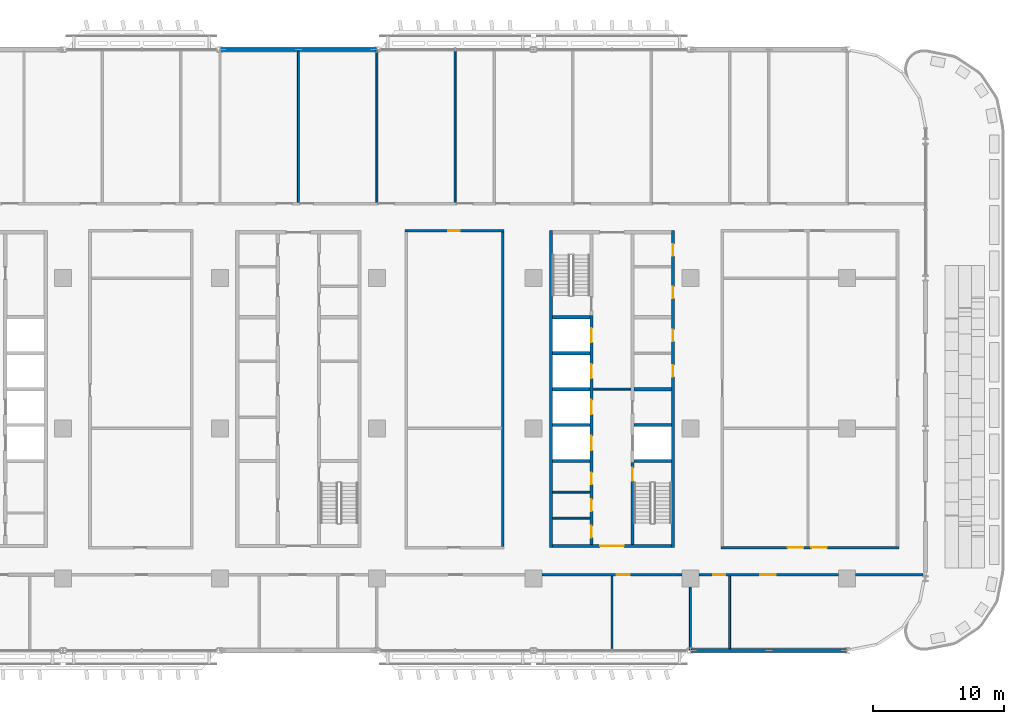
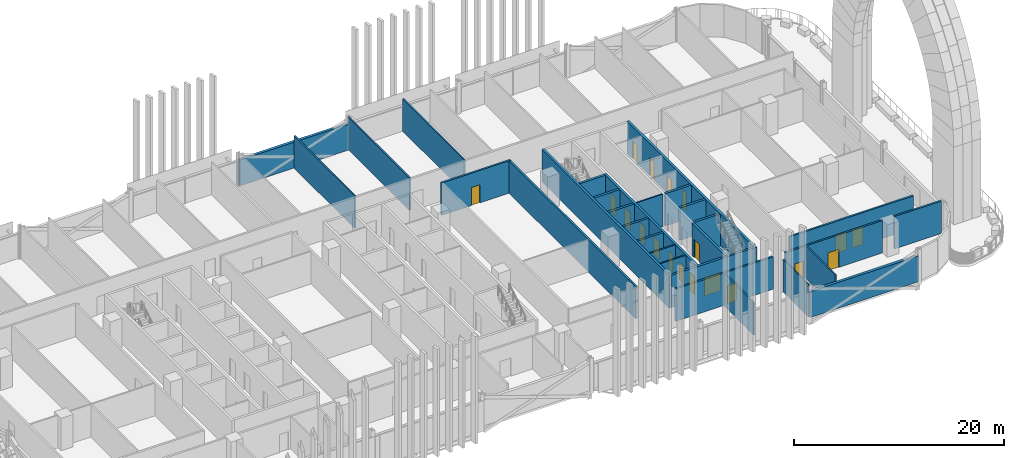
# One storey, part 15 of 33: 30 walls, 19 doors, 19 openings.
"""IFC4 building model written with IfcOpenShell, lengths in metres."""

from ifc_helpers import new_model, si_unit, direction, frame, frame_2d, origin, place, context, subcontext, project, spatial, rectangle, extrude, material, layer, layer_set, type_object, element, fill, save


model = new_model("IFC4")

# Units and contexts
model_context = context("Model", 3, precision=1e-05, world=origin(), true_north=direction((0.0, 1.0)))
body_context = subcontext(model_context, "Body", "Model", "MODEL_VIEW")
ifc_project = project(units=[si_unit("LENGTHUNIT", "METRE"), si_unit("AREAUNIT", "SQUARE_METRE"), si_unit("VOLUMEUNIT", "CUBIC_METRE"), si_unit("PLANEANGLEUNIT", "RADIAN"), si_unit("MASSUNIT", "GRAM", prefix="KILO")], contexts=[model_context])

# Site, building, storey
site_placement = place(None, origin())
site = spatial("IfcSite", under=ifc_project, at=site_placement, CompositionType="ELEMENT")
building_placement = place(site_placement, origin())
building = spatial("IfcBuilding", under=site, at=building_placement, Name="Mahtab Terrace Research Tower", CompositionType="ELEMENT")
storey_placement = place(building_placement, frame((0.0, 0.0, 122.0)))
storey = spatial("IfcBuildingStorey", under=building, at=storey_placement, Name="L28", CompositionType="ELEMENT", Elevation=122.0)

# Walls
ifc_material_1 = material(Name="Gypsum board partition")
ifc_layer_1 = layer(ifc_material_1, 0.14990234375)
ifc_layer_set_1 = layer_set([ifc_layer_1], Name="Core partition 150")
wall_type_1 = type_object("IfcWallType", Name="Core partition 150", PredefinedType="PARTITIONING", material=ifc_layer_set_1)
wall_1_placement = place(storey_placement, frame((22.550048828125, 3.0, 0.0), z_axis=(0.0, 0.0, 1.0), x_axis=(1.0, 0.0, 0.0)))
element("IfcWall", 1, at=wall_1_placement, inside=storey, type_object=wall_type_1, Name="Core wall C ffl", PredefinedType="PARTITIONING", context=body_context, shape_type="SweptSolid", body=[
    extrude(rectangle(XDim=2.89990234375, YDim=0.14990234375, at=frame_2d((1.449951171875, 0.0))), origin(), (0.0, 0.0, 1.0), 3.760009765625),
])
for number, where, z_axis, x_axis, name in (
    (2, (19.449951171875, -6.875, 0.0), (0.0, 0.0, 1.0), (1.0, 0.0, 0.0), "Core wall C pWS-988"),
    (3, (19.449951171875, -4.875, 0.0), (0.0, 0.0, 1.0), (1.0, 0.0, 0.0), "Core wall C pWS-788"),
):
    element("IfcWall", number, at=place(storey_placement, frame(where, z_axis=z_axis, x_axis=x_axis)), inside=storey, type_object=wall_type_1, Name=name, PredefinedType="PARTITIONING", context=body_context, shape_type="SweptSolid", body=[
        extrude(rectangle(XDim=2.85009765625, YDim=0.14990234375, at=frame_2d((1.425048828125, 0.0))), origin(), (0.0, 0.0, 1.0), 3.760009765625),
    ])
ifc_material_2 = material(Name="Concrete C70/85", Category="concrete")
ifc_layer_2 = layer(ifc_material_2, 0.25)
ifc_layer_set_2 = layer_set([ifc_layer_2], Name="Core wall 250")
wall_type_2 = type_object("IfcWallType", Name="Core wall 250", PredefinedType="SOLIDWALL", material=ifc_layer_set_2)
wall_2_placement = place(storey_placement, frame((19.324951171875, 15.125, 0.0), z_axis=(0.0, 0.0, 1.0), x_axis=(0.0, -1.0, 0.0)))
element("IfcWall", 4, at=wall_2_placement, inside=storey, type_object=wall_type_2, Name="Core wall C outerW", PredefinedType="SOLIDWALL", context=body_context, shape_type="SweptSolid", body=[
    extrude(rectangle(XDim=24.25, YDim=0.25, at=frame_2d((12.125, 0.0))), origin(), (0.0, 0.0, 1.0), 3.760009765625),
])

# Wall, openings, doors
wall_3_placement = place(storey_placement, frame((28.675048828125, -9.125, 0.0), z_axis=(0.0, 0.0, 1.0), x_axis=(0.0, 1.0, 0.0)))
wall_3 = element("IfcWall", 5, at=wall_3_placement, inside=storey, type_object=wall_type_2, Name="Core wall C outerE", PredefinedType="SOLIDWALL", context=body_context, shape_type="SweptSolid", body=[
    extrude(rectangle(XDim=24.25, YDim=0.25, at=frame_2d((12.125, 0.0))), origin(), (0.0, 0.0, 1.0), 3.760009765625),
])
opening_1_placement = place(wall_3_placement, frame((13.074951171875, 0.0, 0.0)))
opening_1 = element("IfcOpeningElement", 6, at=opening_1_placement, cuts=wall_3, Name="Opening C-R2", PredefinedType="OPENING", context=body_context, shape_type="SweptSolid", body=[
    extrude(rectangle(XDim=0.89990234375, YDim=2.10009765625, at=frame_2d((0.449951171875, 1.050048828125))), frame((0.0, 0.135009765625, 0.0), z_axis=(0.0, -1.0, 0.0), x_axis=(1.0, 0.0, 0.0)), (0.0, 0.0, 1.0), 0.27001953125),
])
opening_2_placement = place(wall_3_placement, frame((15.77490234375, 0.0, 0.0)))
opening_2 = element("IfcOpeningElement", 7, at=opening_2_placement, cuts=wall_3, Name="Opening C-R3", PredefinedType="OPENING", context=body_context, shape_type="SweptSolid", body=[
    extrude(rectangle(XDim=0.89990234375, YDim=2.10009765625, at=frame_2d((0.449951171875, 1.050048828125))), frame((0.0, 0.135009765625, 0.0), z_axis=(0.0, -1.0, 0.0), x_axis=(1.0, 0.0, 0.0)), (0.0, 0.0, 1.0), 0.27001953125),
])
opening_3_placement = place(wall_3_placement, frame((19.074951171875, 0.0, 0.0)))
opening_3 = element("IfcOpeningElement", 8, at=opening_3_placement, cuts=wall_3, Name="Opening C-R7", PredefinedType="OPENING", context=body_context, shape_type="SweptSolid", body=[
    extrude(rectangle(XDim=0.89990234375, YDim=2.10009765625, at=frame_2d((0.449951171875, 1.050048828125))), frame((0.0, 0.135009765625, 0.0), z_axis=(0.0, -1.0, 0.0), x_axis=(1.0, 0.0, 0.0)), (0.0, 0.0, 1.0), 0.27001953125),
])
opening_4_placement = place(wall_3_placement, frame((22.327392578125, 0.0, 0.0)))
opening_4 = element("IfcOpeningElement", 9, at=opening_4_placement, cuts=wall_3, Name="Opening C-R8", PredefinedType="OPENING", context=body_context, shape_type="SweptSolid", body=[
    extrude(rectangle(XDim=0.89990234375, YDim=2.10009765625, at=frame_2d((0.449951171875, 1.050048828125))), frame((0.0, 0.135009765625, 0.0), z_axis=(0.0, -1.0, 0.0), x_axis=(1.0, 0.0, 0.0)), (0.0, 0.0, 1.0), 0.27001953125),
])
ifc_material_3 = material(Name="Steel fire door", Category="steel")
door_type_1 = type_object("IfcDoorType", Name="Room door 900x2100 1 HR", OperationType="NOTDEFINED", PredefinedType="DOOR", material=ifc_material_3)
door_1_placement = place(opening_1_placement, origin())
door_1 = element("IfcDoor", 10, at=door_1_placement, inside=storey, type_object=door_type_1, Name="Document store door", OperationType="SINGLE_SWING_RIGHT", OverallHeight=2.10009765625, OverallWidth=0.89990234375, PredefinedType="DOOR", context=body_context, shape_type="SweptSolid", body=[
    extrude(rectangle(XDim=0.89990234375, YDim=2.10009765625, at=frame_2d((0.449951171875, 1.050048828125))), frame((0.0, 0.02490234375, 0.0), z_axis=(0.0, -1.0, 0.0), x_axis=(1.0, 0.0, 0.0)), (0.0, 0.0, 1.0), 0.050048828125),
])
fill(opening_1, door_1)
door_2_placement = place(opening_2_placement, origin())
door_2 = element("IfcDoor", 11, at=door_2_placement, inside=storey, type_object=door_type_1, Name="IT equipment room door", OperationType="SINGLE_SWING_LEFT", OverallHeight=2.10009765625, OverallWidth=0.89990234375, PredefinedType="DOOR", context=body_context, shape_type="SweptSolid", body=[
    extrude(rectangle(XDim=0.89990234375, YDim=2.10009765625, at=frame_2d((0.449951171875, 1.050048828125))), frame((0.0, 0.02490234375, 0.0), z_axis=(0.0, -1.0, 0.0), x_axis=(1.0, 0.0, 0.0)), (0.0, 0.0, 1.0), 0.050048828125),
])
fill(opening_2, door_2)
door_3_placement = place(opening_3_placement, origin())
door_3 = element("IfcDoor", 12, at=door_3_placement, inside=storey, type_object=door_type_1, Name="Pantry door", OperationType="SINGLE_SWING_LEFT", OverallHeight=2.10009765625, OverallWidth=0.89990234375, PredefinedType="DOOR", context=body_context, shape_type="SweptSolid", body=[
    extrude(rectangle(XDim=0.89990234375, YDim=2.10009765625, at=frame_2d((0.449951171875, 1.050048828125))), frame((0.0, 0.02490234375, 0.0), z_axis=(0.0, -1.0, 0.0), x_axis=(1.0, 0.0, 0.0)), (0.0, 0.0, 1.0), 0.050048828125),
])
fill(opening_3, door_3)
door_4_placement = place(opening_4_placement, origin())
door_4 = element("IfcDoor", 13, at=door_4_placement, inside=storey, type_object=door_type_1, Name="Linen store door", OperationType="SINGLE_SWING_RIGHT", OverallHeight=2.10009765625, OverallWidth=0.89990234375, PredefinedType="DOOR", context=body_context, shape_type="SweptSolid", body=[
    extrude(rectangle(XDim=0.89990234375, YDim=2.10009765625, at=frame_2d((0.449951171875, 1.050048828125))), frame((0.0, 0.02490234375, 0.0), z_axis=(0.0, -1.0, 0.0), x_axis=(1.0, 0.0, 0.0)), (0.0, 0.0, 1.0), 0.050048828125),
])
fill(opening_4, door_4)

# Wall, opening, door
wall_4_placement = place(storey_placement, frame((28.550048828125, -9.0, 0.0), z_axis=(0.0, 0.0, 1.0), x_axis=(-1.0, 0.0, 0.0)))
wall_4 = element("IfcWall", 14, at=wall_4_placement, inside=storey, type_object=wall_type_2, Name="Core wall C endS", PredefinedType="SOLIDWALL", context=body_context, shape_type="SweptSolid", body=[
    extrude(rectangle(XDim=9.10009765625, YDim=0.25, at=frame_2d((4.550048828125, 0.0))), origin(), (0.0, 0.0, 1.0), 3.760009765625),
])
opening_5_placement = place(wall_4_placement, frame((3.64990234375, 0.0, 0.0)))
opening_5 = element("IfcOpeningElement", 15, at=opening_5_placement, cuts=wall_4, Name="Opening C-S1", PredefinedType="OPENING", context=body_context, shape_type="SweptSolid", body=[
    extrude(rectangle(XDim=1.800048828125, YDim=2.10009765625, at=frame_2d((0.89990234375, 1.050048828125))), frame((0.0, 0.135009765625, 0.0), z_axis=(0.0, -1.0, 0.0), x_axis=(1.0, 0.0, 0.0)), (0.0, 0.0, 1.0), 0.27001953125),
])
door_type_2 = type_object("IfcDoorType", Name="Lobby double door 1800x2100 1 HR", OperationType="DOUBLE_DOOR_SINGLE_SWING", PredefinedType="DOOR", material=ifc_material_3)
door_5_placement = place(opening_5_placement, origin())
door_5 = element("IfcDoor", 16, at=door_5_placement, inside=storey, type_object=door_type_2, Name="Core entrance door C S", OperationType="DOUBLE_DOOR_SINGLE_SWING", OverallHeight=2.10009765625, OverallWidth=1.800048828125, PredefinedType="DOOR", context=body_context, shape_type="SweptSolid", body=[
    extrude(rectangle(XDim=1.800048828125, YDim=2.10009765625, at=frame_2d((0.89990234375, 1.050048828125))), frame((0.0, 0.02490234375, 0.0), z_axis=(0.0, -1.0, 0.0), x_axis=(1.0, 0.0, 0.0)), (0.0, 0.0, 1.0), 0.050048828125),
])
fill(opening_5, door_5)

# Wall, openings, doors
wall_5_placement = place(storey_placement, frame((22.425048828125, -8.875, 0.0), z_axis=(0.0, 0.0, 1.0), x_axis=(0.0, 1.0, 0.0)))
wall_5 = element("IfcWall", 17, at=wall_5_placement, inside=storey, type_object=wall_type_2, Name="Core wall C innerWSL", PredefinedType="SOLIDWALL", context=body_context, shape_type="SweptSolid", body=[
    extrude(rectangle(XDim=17.5, YDim=0.25, at=frame_2d((8.75, 0.0))), origin(), (0.0, 0.0, 1.0), 3.760009765625),
])
opening_6_placement = place(wall_5_placement, frame((7.199951171875, 0.0, 0.0)))
opening_6 = element("IfcOpeningElement", 18, at=opening_6_placement, cuts=wall_5, Name="Opening LD17-L28", PredefinedType="OPENING", context=body_context, shape_type="SweptSolid", body=[
    extrude(rectangle(XDim=1.10009765625, YDim=2.10009765625, at=frame_2d((0.550048828125, 1.050048828125))), frame((0.0, 0.135009765625, 0.0), z_axis=(0.0, -1.0, 0.0), x_axis=(1.0, 0.0, 0.0)), (0.0, 0.0, 1.0), 0.27001953125),
])
opening_7_placement = place(wall_5_placement, frame((9.949951171875, 0.0, 0.0)))
opening_7 = element("IfcOpeningElement", 19, at=opening_7_placement, cuts=wall_5, Name="Opening LD18-L28", PredefinedType="OPENING", context=body_context, shape_type="SweptSolid", body=[
    extrude(rectangle(XDim=1.10009765625, YDim=2.10009765625, at=frame_2d((0.550048828125, 1.050048828125))), frame((0.0, 0.135009765625, 0.0), z_axis=(0.0, -1.0, 0.0), x_axis=(1.0, 0.0, 0.0)), (0.0, 0.0, 1.0), 0.27001953125),
])
opening_8_placement = place(wall_5_placement, frame((12.699951171875, 0.0, 0.0)))
opening_8 = element("IfcOpeningElement", 20, at=opening_8_placement, cuts=wall_5, Name="Opening LD19-L28", PredefinedType="OPENING", context=body_context, shape_type="SweptSolid", body=[
    extrude(rectangle(XDim=1.10009765625, YDim=2.10009765625, at=frame_2d((0.550048828125, 1.050048828125))), frame((0.0, 0.135009765625, 0.0), z_axis=(0.0, -1.0, 0.0), x_axis=(1.0, 0.0, 0.0)), (0.0, 0.0, 1.0), 0.27001953125),
])
opening_9_placement = place(wall_5_placement, frame((15.449951171875, 0.0, 0.0)))
opening_9 = element("IfcOpeningElement", 21, at=opening_9_placement, cuts=wall_5, Name="Opening LD20-L28", PredefinedType="OPENING", context=body_context, shape_type="SweptSolid", body=[
    extrude(rectangle(XDim=1.10009765625, YDim=2.10009765625, at=frame_2d((0.550048828125, 1.050048828125))), frame((0.0, 0.135009765625, 0.0), z_axis=(0.0, -1.0, 0.0), x_axis=(1.0, 0.0, 0.0)), (0.0, 0.0, 1.0), 0.27001953125),
])
opening_10_placement = place(wall_5_placement, frame((0.512451171875, 0.0, 0.0)))
opening_10 = element("IfcOpeningElement", 22, at=opening_10_placement, cuts=wall_5, Name="Opening C-R4", PredefinedType="OPENING", context=body_context, shape_type="SweptSolid", body=[
    extrude(rectangle(XDim=0.89990234375, YDim=2.10009765625, at=frame_2d((0.449951171875, 1.050048828125))), frame((0.0, 0.135009765625, 0.0), z_axis=(0.0, -1.0, 0.0), x_axis=(1.0, 0.0, 0.0)), (0.0, 0.0, 1.0), 0.27001953125),
])
opening_11_placement = place(wall_5_placement, frame((2.550048828125, 0.0, 0.0)))
opening_11 = element("IfcOpeningElement", 23, at=opening_11_placement, cuts=wall_5, Name="Opening C-R5", PredefinedType="OPENING", context=body_context, shape_type="SweptSolid", body=[
    extrude(rectangle(XDim=0.89990234375, YDim=2.10009765625, at=frame_2d((0.449951171875, 1.050048828125))), frame((0.0, 0.135009765625, 0.0), z_axis=(0.0, -1.0, 0.0), x_axis=(1.0, 0.0, 0.0)), (0.0, 0.0, 1.0), 0.27001953125),
])
opening_12_placement = place(wall_5_placement, frame((4.58740234375, 0.0, 0.0)))
opening_12 = element("IfcOpeningElement", 24, at=opening_12_placement, cuts=wall_5, Name="Opening C-R6", PredefinedType="OPENING", context=body_context, shape_type="SweptSolid", body=[
    extrude(rectangle(XDim=0.89990234375, YDim=2.10009765625, at=frame_2d((0.449951171875, 1.050048828125))), frame((0.0, 0.135009765625, 0.0), z_axis=(0.0, -1.0, 0.0), x_axis=(1.0, 0.0, 0.0)), (0.0, 0.0, 1.0), 0.27001953125),
])
ifc_material_4 = material(Name="Stainless steel AISI 304", Category="steel")
door_type_3 = type_object("IfcDoorType", Name="Landing door 1100x2100", OperationType="DOUBLE_DOOR_SLIDING", PredefinedType="DOOR", material=ifc_material_4)
door_6_placement = place(opening_6_placement, origin())
door_6 = element("IfcDoor", 25, at=door_6_placement, inside=storey, type_object=door_type_3, Name="Landing door SV1 L28", OperationType="DOUBLE_DOOR_SLIDING", OverallHeight=2.10009765625, OverallWidth=1.10009765625, PredefinedType="DOOR", context=body_context, shape_type="SweptSolid", body=[
    extrude(rectangle(XDim=1.10009765625, YDim=2.10009765625, at=frame_2d((0.550048828125, 1.050048828125))), frame((0.0, 0.02490234375, 0.0), z_axis=(0.0, -1.0, 0.0), x_axis=(1.0, 0.0, 0.0)), (0.0, 0.0, 1.0), 0.050048828125),
])
fill(opening_6, door_6)
door_7_placement = place(opening_7_placement, origin())
door_7 = element("IfcDoor", 26, at=door_7_placement, inside=storey, type_object=door_type_3, Name="Landing door SV2 L28", OperationType="DOUBLE_DOOR_SLIDING", OverallHeight=2.10009765625, OverallWidth=1.10009765625, PredefinedType="DOOR", context=body_context, shape_type="SweptSolid", body=[
    extrude(rectangle(XDim=1.10009765625, YDim=2.10009765625, at=frame_2d((0.550048828125, 1.050048828125))), frame((0.0, 0.02490234375, 0.0), z_axis=(0.0, -1.0, 0.0), x_axis=(1.0, 0.0, 0.0)), (0.0, 0.0, 1.0), 0.050048828125),
])
fill(opening_7, door_7)
door_8_placement = place(opening_8_placement, origin())
door_8 = element("IfcDoor", 27, at=door_8_placement, inside=storey, type_object=door_type_3, Name="Landing door FF1 L28", OperationType="DOUBLE_DOOR_SLIDING", OverallHeight=2.10009765625, OverallWidth=1.10009765625, PredefinedType="DOOR", context=body_context, shape_type="SweptSolid", body=[
    extrude(rectangle(XDim=1.10009765625, YDim=2.10009765625, at=frame_2d((0.550048828125, 1.050048828125))), frame((0.0, 0.02490234375, 0.0), z_axis=(0.0, -1.0, 0.0), x_axis=(1.0, 0.0, 0.0)), (0.0, 0.0, 1.0), 0.050048828125),
])
fill(opening_8, door_8)
door_9_placement = place(opening_9_placement, origin())
door_9 = element("IfcDoor", 28, at=door_9_placement, inside=storey, type_object=door_type_3, Name="Landing door FF2 L28", OperationType="DOUBLE_DOOR_SLIDING", OverallHeight=2.10009765625, OverallWidth=1.10009765625, PredefinedType="DOOR", context=body_context, shape_type="SweptSolid", body=[
    extrude(rectangle(XDim=1.10009765625, YDim=2.10009765625, at=frame_2d((0.550048828125, 1.050048828125))), frame((0.0, 0.02490234375, 0.0), z_axis=(0.0, -1.0, 0.0), x_axis=(1.0, 0.0, 0.0)), (0.0, 0.0, 1.0), 0.050048828125),
])
fill(opening_9, door_9)
door_10_placement = place(opening_10_placement, origin())
door_10 = element("IfcDoor", 29, at=door_10_placement, inside=storey, type_object=door_type_1, Name="Male WC door", OperationType="SINGLE_SWING_RIGHT", OverallHeight=2.10009765625, OverallWidth=0.89990234375, PredefinedType="DOOR", context=body_context, shape_type="SweptSolid", body=[
    extrude(rectangle(XDim=0.89990234375, YDim=2.10009765625, at=frame_2d((0.449951171875, 1.050048828125))), frame((0.0, 0.02490234375, 0.0), z_axis=(0.0, -1.0, 0.0), x_axis=(1.0, 0.0, 0.0)), (0.0, 0.0, 1.0), 0.050048828125),
])
fill(opening_10, door_10)
door_11_placement = place(opening_11_placement, origin())
door_11 = element("IfcDoor", 30, at=door_11_placement, inside=storey, type_object=door_type_1, Name="Female WC door", OperationType="SINGLE_SWING_LEFT", OverallHeight=2.10009765625, OverallWidth=0.89990234375, PredefinedType="DOOR", context=body_context, shape_type="SweptSolid", body=[
    extrude(rectangle(XDim=0.89990234375, YDim=2.10009765625, at=frame_2d((0.449951171875, 1.050048828125))), frame((0.0, 0.02490234375, 0.0), z_axis=(0.0, -1.0, 0.0), x_axis=(1.0, 0.0, 0.0)), (0.0, 0.0, 1.0), 0.050048828125),
])
fill(opening_11, door_11)
door_12_placement = place(opening_12_placement, origin())
door_12 = element("IfcDoor", 31, at=door_12_placement, inside=storey, type_object=door_type_1, Name="Accessible WC door", OperationType="SINGLE_SWING_RIGHT", OverallHeight=2.10009765625, OverallWidth=0.89990234375, PredefinedType="DOOR", context=body_context, shape_type="SweptSolid", body=[
    extrude(rectangle(XDim=0.89990234375, YDim=2.10009765625, at=frame_2d((0.449951171875, 1.050048828125))), frame((0.0, 0.02490234375, 0.0), z_axis=(0.0, -1.0, 0.0), x_axis=(1.0, 0.0, 0.0)), (0.0, 0.0, 1.0), 0.050048828125),
])
fill(opening_12, door_12)

# Wall, opening, door
wall_6_placement = place(storey_placement, frame((25.574951171875, -8.875, 0.0), z_axis=(0.0, 0.0, 1.0), x_axis=(0.0, 1.0, 0.0)))
wall_6 = element("IfcWall", 32, at=wall_6_placement, inside=storey, type_object=wall_type_2, Name="Core wall C innerES", PredefinedType="SOLIDWALL", context=body_context, shape_type="SweptSolid", body=[
    extrude(rectangle(XDim=6.25, YDim=0.25, at=frame_2d((3.125, 0.0))), origin(), (0.0, 0.0, 1.0), 3.760009765625),
])
opening_13_placement = place(wall_6_placement, frame((4.85009765625, 0.0, 0.0)))
opening_13 = element("IfcOpeningElement", 33, at=opening_13_placement, cuts=wall_6, Name="Opening C-ST4", PredefinedType="OPENING", context=body_context, shape_type="SweptSolid", body=[
    extrude(rectangle(XDim=1.0, YDim=2.10009765625, at=frame_2d((0.5, 1.050048828125))), frame((0.0, 0.135009765625, 0.0), z_axis=(0.0, -1.0, 0.0), x_axis=(1.0, 0.0, 0.0)), (0.0, 0.0, 1.0), 0.27001953125),
])
door_type_4 = type_object("IfcDoorType", Name="Stair door 1000x2100 1.5 HR", OperationType="NOTDEFINED", PredefinedType="DOOR", material=ifc_material_3)
door_13_placement = place(opening_13_placement, origin())
door_13 = element("IfcDoor", 34, at=door_13_placement, inside=storey, type_object=door_type_4, Name="Stair door ST4 L28", OperationType="SINGLE_SWING_RIGHT", OverallHeight=2.10009765625, OverallWidth=1.0, PredefinedType="DOOR", context=body_context, shape_type="SweptSolid", body=[
    extrude(rectangle(XDim=1.0, YDim=2.10009765625, at=frame_2d((0.5, 1.050048828125))), frame((0.0, 0.02490234375, 0.0), z_axis=(0.0, -1.0, 0.0), x_axis=(1.0, 0.0, 0.0)), (0.0, 0.0, 1.0), 0.050048828125),
])
fill(opening_13, door_13)

# Walls
for number, where, z_axis, x_axis, name in (
    (35, (19.449951171875, -2.5, 0.0), (0.0, 0.0, 1.0), (1.0, 0.0, 0.0), "Core wall C divW0"),
    (36, (19.449951171875, 0.25, 0.0), (0.0, 0.0, 1.0), (1.0, 0.0, 0.0), "Core wall C divW1"),
    (37, (19.449951171875, 3.0, 0.0), (0.0, 0.0, 1.0), (1.0, 0.0, 0.0), "Core wall C divW2"),
    (38, (19.449951171875, 5.75, 0.0), (0.0, 0.0, 1.0), (1.0, 0.0, 0.0), "Core wall C divW3"),
    (39, (19.449951171875, 8.5, 0.0), (0.0, 0.0, 1.0), (1.0, 0.0, 0.0), "Core wall C divW4"),
    (40, (25.699951171875, -2.5, 0.0), (0.0, 0.0, 1.0), (1.0, 0.0, 0.0), "Core wall C divE0"),
    (41, (25.699951171875, 0.25, 0.0), (0.0, 0.0, 1.0), (1.0, 0.0, 0.0), "Core wall C divE1"),
    (42, (25.699951171875, 3.0, 0.0), (0.0, 0.0, 1.0), (1.0, 0.0, 0.0), "Core wall C divE2"),
):
    element("IfcWall", number, at=place(storey_placement, frame(where, z_axis=z_axis, x_axis=x_axis)), inside=storey, type_object=wall_type_2, Name=name, PredefinedType="SOLIDWALL", context=body_context, shape_type="SweptSolid", body=[
        extrude(rectangle(XDim=2.85009765625, YDim=0.25, at=frame_2d((1.425048828125, 0.0))), origin(), (0.0, 0.0, 1.0), 3.760009765625),
    ])
ifc_material_5 = material(Name="Black aluminium cladding panel", Category="aluminium")
ifc_layer_3 = layer(ifc_material_5, 0.300048828125)
ifc_layer_set_3 = layer_set([ifc_layer_3], Name="Opaque facade wall 300")
wall_type_3 = type_object("IfcWallType", Name="Opaque facade wall 300", PredefinedType="NOTDEFINED", material=ifc_layer_set_3)
for number, where, z_axis, x_axis, name in (
    (43, (5.982177734375, 29.0, 0.0), (0.0, 0.0, 1.0), (-1.0, 0.0, 0.0), "Opaque facade wall L28 N6"),
    (44, (30.017822265625, -17.0, 0.0), (0.0, 0.0, 1.0), (1.0, 0.0, 0.0), "Opaque facade wall L28 S30"),
):
    element("IfcWall", number, at=place(storey_placement, frame(where, z_axis=z_axis, x_axis=x_axis)), inside=storey, type_object=wall_type_3, Name=name, PredefinedType="NOTDEFINED", context=body_context, shape_type="SweptSolid", body=[
        extrude(rectangle(XDim=11.96435546875, YDim=0.300048828125, at=frame_2d((5.982177734375, 0.0))), origin(), (0.0, 0.0, 1.0), 3.003173828125),
    ])

# Wall, opening, door
ifc_material_6 = material(Name="Gypsum board corridor wall on steel studs", Category="steel")
ifc_layer_4 = layer(ifc_material_6, 0.199951171875)
ifc_layer_set_4 = layer_set([ifc_layer_4], Name="WALL CORRIDOR 200")
wall_type_4 = type_object("IfcWallType", Name="WALL CORRIDOR 200", PredefinedType="PARTITIONING", material=ifc_layer_set_4)
wall_7_placement = place(storey_placement, frame((18.64990234375, -11.199951171875, 0.0), z_axis=(0.0, 0.0, 1.0), x_axis=(1.0, 0.0, 0.0)))
wall_7 = element("IfcWall", 45, at=wall_7_placement, inside=storey, type_object=wall_type_4, Name="L28-W007", PredefinedType="PARTITIONING", context=body_context, shape_type="SweptSolid", body=[
    extrude(rectangle(XDim=10.7001953125, YDim=0.199951171875, at=frame_2d((5.35009765625, 0.0))), origin(), (0.0, 0.0, 1.0), 3.760009765625),
])
opening_14_placement = place(wall_7_placement, frame((5.699951171875, 0.0, 0.0)))
opening_14 = element("IfcOpeningElement", 46, at=opening_14_placement, cuts=wall_7, Name="Opening L28-108", PredefinedType="OPENING", context=body_context, shape_type="SweptSolid", body=[
    extrude(rectangle(XDim=1.0, YDim=2.10009765625, at=frame_2d((0.5, 1.050048828125))), frame((0.0, 0.10986328125, 0.0), z_axis=(0.0, -1.0, 0.0), x_axis=(1.0, 0.0, 0.0)), (0.0, 0.0, 1.0), 0.219970703125),
])
ifc_material_7 = material(Name="Timber door leaf in steel frame", Category="steel")
door_type_5 = type_object("IfcDoorType", Name="DOOR 1000X2100 FD30S", OperationType="SINGLE_SWING_LEFT", PredefinedType="DOOR", material=ifc_material_7)
door_14_placement = place(opening_14_placement, origin())
door_14 = element("IfcDoor", 47, at=door_14_placement, inside=storey, type_object=door_type_5, Name="Door L28-108", OperationType="SINGLE_SWING_LEFT", OverallHeight=2.10009765625, OverallWidth=1.0, PredefinedType="DOOR", context=body_context, shape_type="SweptSolid", body=[
    extrude(rectangle(XDim=1.0, YDim=2.10009765625, at=frame_2d((0.5, 1.050048828125))), frame((0.0, 0.02490234375, 0.0), z_axis=(0.0, -1.0, 0.0), x_axis=(1.0, 0.0, 0.0)), (0.0, 0.0, 1.0), 0.050048828125),
])
fill(opening_14, door_14)

# Wall, openings, doors
wall_8_placement = place(storey_placement, frame((30.64990234375, -11.199951171875, 0.0), z_axis=(0.0, 0.0, 1.0), x_axis=(1.0, 0.0, 0.0)))
wall_8 = element("IfcWall", 48, at=wall_8_placement, inside=storey, type_object=wall_type_4, Name="L28-W008", PredefinedType="PARTITIONING", context=body_context, shape_type="SweptSolid", body=[
    extrude(rectangle(XDim=10.7001953125, YDim=0.199951171875, at=frame_2d((5.35009765625, 0.0))), origin(), (0.0, 0.0, 1.0), 3.760009765625),
])
opening_15_placement = place(wall_8_placement, frame((1.10009765625, 0.0, 0.0)))
opening_15 = element("IfcOpeningElement", 49, at=opening_15_placement, cuts=wall_8, Name="Opening L28-109", PredefinedType="OPENING", context=body_context, shape_type="SweptSolid", body=[
    extrude(rectangle(XDim=0.89990234375, YDim=2.10009765625, at=frame_2d((0.449951171875, 1.050048828125))), frame((0.0, 0.10986328125, 0.0), z_axis=(0.0, -1.0, 0.0), x_axis=(1.0, 0.0, 0.0)), (0.0, 0.0, 1.0), 0.219970703125),
])
opening_16_placement = place(wall_8_placement, frame((4.699951171875, 0.0, 0.0)))
opening_16 = element("IfcOpeningElement", 50, at=opening_16_placement, cuts=wall_8, Name="Opening L28-110", PredefinedType="OPENING", context=body_context, shape_type="SweptSolid", body=[
    extrude(rectangle(XDim=1.199951171875, YDim=2.10009765625, at=frame_2d((0.60009765625, 1.050048828125))), frame((0.0, 0.10986328125, 0.0), z_axis=(0.0, -1.0, 0.0), x_axis=(1.0, 0.0, 0.0)), (0.0, 0.0, 1.0), 0.219970703125),
])
door_type_6 = type_object("IfcDoorType", Name="DOOR 0900X2100 FD30S", OperationType="SINGLE_SWING_LEFT", PredefinedType="DOOR", material=ifc_material_7)
door_15_placement = place(opening_15_placement, origin())
door_15 = element("IfcDoor", 51, at=door_15_placement, inside=storey, type_object=door_type_6, Name="Door L28-109", OperationType="SINGLE_SWING_RIGHT", OverallHeight=2.10009765625, OverallWidth=0.89990234375, PredefinedType="DOOR", context=body_context, shape_type="SweptSolid", body=[
    extrude(rectangle(XDim=0.89990234375, YDim=2.10009765625, at=frame_2d((0.449951171875, 1.050048828125))), frame((0.0, 0.02490234375, 0.0), z_axis=(0.0, -1.0, 0.0), x_axis=(1.0, 0.0, 0.0)), (0.0, 0.0, 1.0), 0.050048828125),
])
fill(opening_15, door_15)
door_type_7 = type_object("IfcDoorType", Name="DOOR 1200X2100 FD30S", OperationType="SINGLE_SWING_LEFT", PredefinedType="DOOR", material=ifc_material_7)
door_16_placement = place(opening_16_placement, origin())
door_16 = element("IfcDoor", 52, at=door_16_placement, inside=storey, type_object=door_type_7, Name="Door L28-110", OperationType="SINGLE_SWING_RIGHT", OverallHeight=2.10009765625, OverallWidth=1.199951171875, PredefinedType="DOOR", context=body_context, shape_type="SweptSolid", body=[
    extrude(rectangle(XDim=1.199951171875, YDim=2.10009765625, at=frame_2d((0.60009765625, 1.050048828125))), frame((0.0, 0.02490234375, 0.0), z_axis=(0.0, -1.0, 0.0), x_axis=(1.0, 0.0, 0.0)), (0.0, 0.0, 1.0), 0.050048828125),
])
fill(opening_16, door_16)

# Wall
wall_9_placement = place(storey_placement, frame((42.64990234375, -11.199951171875, 0.0), z_axis=(0.0, 0.0, 1.0), x_axis=(1.0, 0.0, 0.0)))
element("IfcWall", 53, at=wall_9_placement, inside=storey, type_object=wall_type_4, Name="L28-W009", PredefinedType="PARTITIONING", context=body_context, shape_type="SweptSolid", body=[
    extrude(rectangle(XDim=5.157470703125, YDim=0.199951171875, at=frame_2d((2.57861328125, 0.0))), origin(), (0.0, 0.0, 1.0), 3.760009765625),
])

# Wall, openings, doors
wall_10_placement = place(storey_placement, frame((32.35009765625, -9.125, 0.0), z_axis=(0.0, 0.0, 1.0), x_axis=(1.0, 0.0, 0.0)))
wall_10 = element("IfcWall", 54, at=wall_10_placement, inside=storey, type_object=wall_type_4, Name="L28-W013", PredefinedType="PARTITIONING", context=body_context, shape_type="SweptSolid", body=[
    extrude(rectangle(XDim=13.599853515625, YDim=0.199951171875, at=frame_2d((6.7998046875, 0.0))), origin(), (0.0, 0.0, 1.0), 3.760009765625),
])
opening_17_placement = place(wall_10_placement, frame((5.10009765625, 0.0, 0.0)))
opening_17 = element("IfcOpeningElement", 55, at=opening_17_placement, cuts=wall_10, Name="Opening L28-115", PredefinedType="OPENING", context=body_context, shape_type="SweptSolid", body=[
    extrude(rectangle(XDim=1.199951171875, YDim=2.10009765625, at=frame_2d((0.60009765625, 1.050048828125))), frame((0.0, 0.10986328125, 0.0), z_axis=(0.0, -1.0, 0.0), x_axis=(1.0, 0.0, 0.0)), (0.0, 0.0, 1.0), 0.219970703125),
])
opening_18_placement = place(wall_10_placement, frame((6.89990234375, 0.0, 0.0)))
opening_18 = element("IfcOpeningElement", 56, at=opening_18_placement, cuts=wall_10, Name="Opening L28-116", PredefinedType="OPENING", context=body_context, shape_type="SweptSolid", body=[
    extrude(rectangle(XDim=1.199951171875, YDim=2.10009765625, at=frame_2d((0.60009765625, 1.050048828125))), frame((0.0, 0.10986328125, 0.0), z_axis=(0.0, -1.0, 0.0), x_axis=(1.0, 0.0, 0.0)), (0.0, 0.0, 1.0), 0.219970703125),
])
door_17_placement = place(opening_17_placement, origin())
door_17 = element("IfcDoor", 57, at=door_17_placement, inside=storey, type_object=door_type_7, Name="Door L28-115", OperationType="SINGLE_SWING_LEFT", OverallHeight=2.10009765625, OverallWidth=1.199951171875, PredefinedType="DOOR", context=body_context, shape_type="SweptSolid", body=[
    extrude(rectangle(XDim=1.199951171875, YDim=2.10009765625, at=frame_2d((0.60009765625, 1.050048828125))), frame((0.0, 0.02490234375, 0.0), z_axis=(0.0, -1.0, 0.0), x_axis=(1.0, 0.0, 0.0)), (0.0, 0.0, 1.0), 0.050048828125),
])
fill(opening_17, door_17)
door_18_placement = place(opening_18_placement, origin())
door_18 = element("IfcDoor", 58, at=door_18_placement, inside=storey, type_object=door_type_7, Name="Door L28-116", OperationType="SINGLE_SWING_RIGHT", OverallHeight=2.10009765625, OverallWidth=1.199951171875, PredefinedType="DOOR", context=body_context, shape_type="SweptSolid", body=[
    extrude(rectangle(XDim=1.199951171875, YDim=2.10009765625, at=frame_2d((0.60009765625, 1.050048828125))), frame((0.0, 0.02490234375, 0.0), z_axis=(0.0, -1.0, 0.0), x_axis=(1.0, 0.0, 0.0)), (0.0, 0.0, 1.0), 0.050048828125),
])
fill(opening_18, door_18)

# Wall, opening, door
wall_11_placement = place(storey_placement, frame((8.14990234375, 15.125, 0.0), z_axis=(0.0, 0.0, 1.0), x_axis=(1.0, 0.0, 0.0)))
wall_11 = element("IfcWall", 59, at=wall_11_placement, inside=storey, type_object=wall_type_4, Name="L28-W025", PredefinedType="PARTITIONING", context=body_context, shape_type="SweptSolid", body=[
    extrude(rectangle(XDim=7.60009765625, YDim=0.199951171875, at=frame_2d((3.800048828125, 0.0))), origin(), (0.0, 0.0, 1.0), 3.760009765625),
])
opening_19_placement = place(wall_11_placement, frame((3.300048828125, 0.0, 0.0)))
opening_19 = element("IfcOpeningElement", 60, at=opening_19_placement, cuts=wall_11, Name="Opening L28-122", PredefinedType="OPENING", context=body_context, shape_type="SweptSolid", body=[
    extrude(rectangle(XDim=0.89990234375, YDim=2.10009765625, at=frame_2d((0.449951171875, 1.050048828125))), frame((0.0, 0.10986328125, 0.0), z_axis=(0.0, -1.0, 0.0), x_axis=(1.0, 0.0, 0.0)), (0.0, 0.0, 1.0), 0.219970703125),
])
door_19_placement = place(opening_19_placement, origin())
door_19 = element("IfcDoor", 61, at=door_19_placement, inside=storey, type_object=door_type_6, Name="Door L28-122", OperationType="SINGLE_SWING_RIGHT", OverallHeight=2.10009765625, OverallWidth=0.89990234375, PredefinedType="DOOR", context=body_context, shape_type="SweptSolid", body=[
    extrude(rectangle(XDim=0.89990234375, YDim=2.10009765625, at=frame_2d((0.449951171875, 1.050048828125))), frame((0.0, 0.02490234375, 0.0), z_axis=(0.0, -1.0, 0.0), x_axis=(1.0, 0.0, 0.0)), (0.0, 0.0, 1.0), 0.050048828125),
])
fill(opening_19, door_19)

# Walls
wall_12_placement = place(storey_placement, frame((15.64990234375, -9.02490234375, 0.0), z_axis=(0.0, 0.0, 1.0), x_axis=(0.0, 1.0, 0.0)))
element("IfcWall", 62, at=wall_12_placement, inside=storey, type_object=wall_type_4, Name="L28-W052", PredefinedType="PARTITIONING", context=body_context, shape_type="SweptSolid", body=[
    extrude(rectangle(XDim=24.0498046875, YDim=0.199951171875, at=frame_2d((12.02490234375, 0.0))), origin(), (0.0, 0.0, 1.0), 3.760009765625),
])
ifc_material_8 = material(Name="Gypsum board partition on steel studs", Category="steel")
ifc_layer_5 = layer(ifc_material_8, 0.14990234375)
ifc_layer_set_5 = layer_set([ifc_layer_5], Name="WALL PARTITION 150")
wall_type_5 = type_object("IfcWallType", Name="WALL PARTITION 150", PredefinedType="PARTITIONING", material=ifc_layer_set_5)
wall_13_placement = place(storey_placement, frame((0.0, 17.300048828125, 0.0), z_axis=(0.0, 0.0, 1.0), x_axis=(0.0, 1.0, 0.0)))
element("IfcWall", 63, at=wall_13_placement, inside=storey, type_object=wall_type_5, Name="L28-W045", PredefinedType="PARTITIONING", context=body_context, shape_type="SweptSolid", body=[
    extrude(rectangle(XDim=11.550048828125, YDim=0.14990234375, at=frame_2d((5.77490234375, 0.0))), origin(), (0.0, 0.0, 1.0), 3.760009765625),
])
for number, where, z_axis, x_axis, name in (
    (64, (6.0, 17.300048828125, 0.0), (0.0, 0.0, 1.0), (0.0, 1.0, 0.0), "L28-W048"),
    (65, (12.0, 17.300048828125, 0.0), (0.0, 0.0, 1.0), (0.0, 1.0, 0.0), "L28-W050"),
):
    element("IfcWall", number, at=place(storey_placement, frame(where, z_axis=z_axis, x_axis=x_axis)), inside=storey, type_object=wall_type_5, Name=name, PredefinedType="PARTITIONING", context=body_context, shape_type="SweptSolid", body=[
        extrude(rectangle(XDim=11.675048828125, YDim=0.14990234375, at=frame_2d((5.83740234375, 0.0))), origin(), (0.0, 0.0, 1.0), 3.760009765625),
    ])
wall_14_placement = place(storey_placement, frame((24.0, -16.97509765625, 0.0), z_axis=(0.0, 0.0, 1.0), x_axis=(0.0, 1.0, 0.0)))
element("IfcWall", 66, at=wall_14_placement, inside=storey, type_object=wall_type_5, Name="L28-W054", PredefinedType="PARTITIONING", context=body_context, shape_type="SweptSolid", body=[
    extrude(rectangle(XDim=5.675048828125, YDim=0.14990234375, at=frame_2d((2.83740234375, 0.0))), origin(), (0.0, 0.0, 1.0), 3.760009765625),
])
wall_15_placement = place(storey_placement, frame((30.0, -16.97509765625, 0.0), z_axis=(0.0, 0.0, 1.0), x_axis=(0.0, 1.0, 0.0)))
element("IfcWall", 67, at=wall_15_placement, inside=storey, type_object=wall_type_5, Name="L28-W056", PredefinedType="PARTITIONING", context=body_context, shape_type="SweptSolid", body=[
    extrude(rectangle(XDim=4.8251953125, YDim=0.14990234375, at=frame_2d((2.41259765625, 0.0))), origin(), (0.0, 0.0, 1.0), 3.760009765625),
])
wall_16_placement = place(storey_placement, frame((33.0, -16.85009765625, 0.0), z_axis=(0.0, 0.0, 1.0), x_axis=(0.0, 1.0, 0.0)))
element("IfcWall", 68, at=wall_16_placement, inside=storey, type_object=wall_type_5, Name="L28-W058", PredefinedType="PARTITIONING", context=body_context, shape_type="SweptSolid", body=[
    extrude(rectangle(XDim=5.550048828125, YDim=0.14990234375, at=frame_2d((2.77490234375, 0.0))), origin(), (0.0, 0.0, 1.0), 3.760009765625),
])

save(model, "model.ifc")
